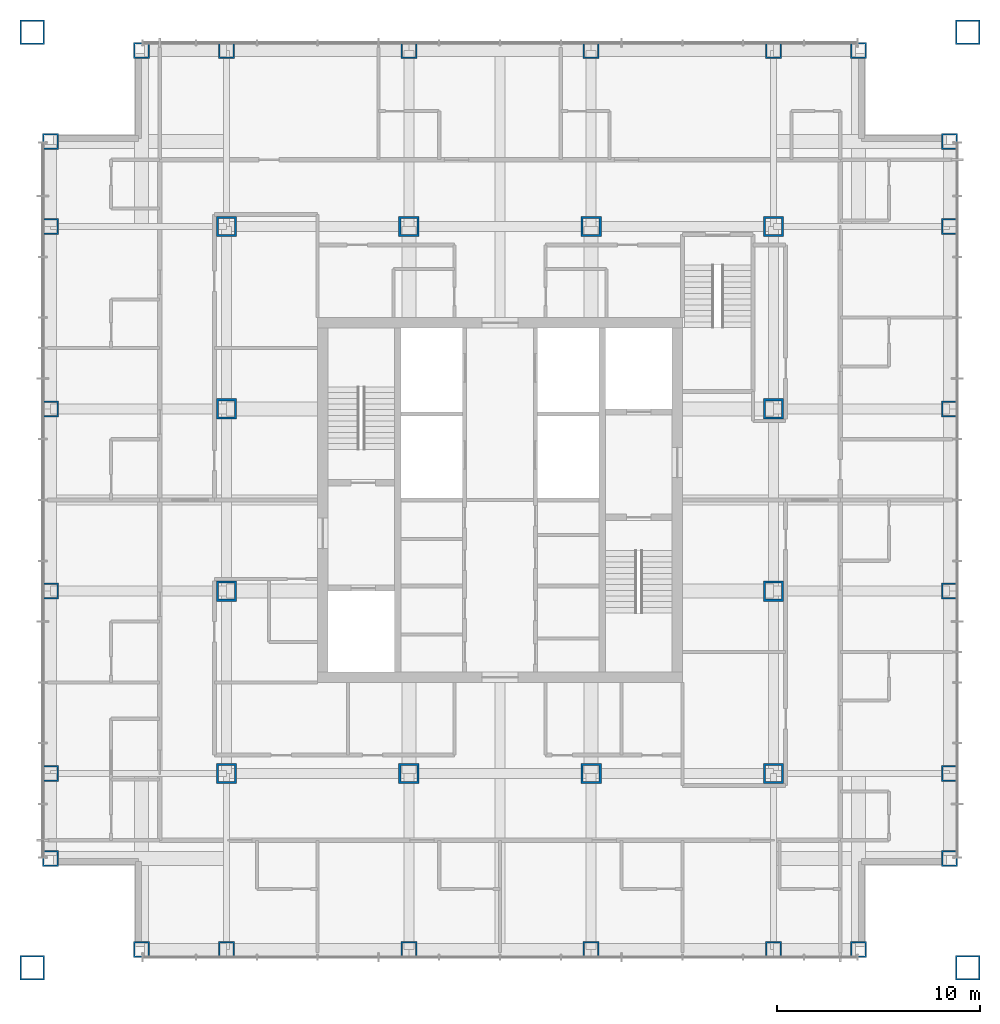
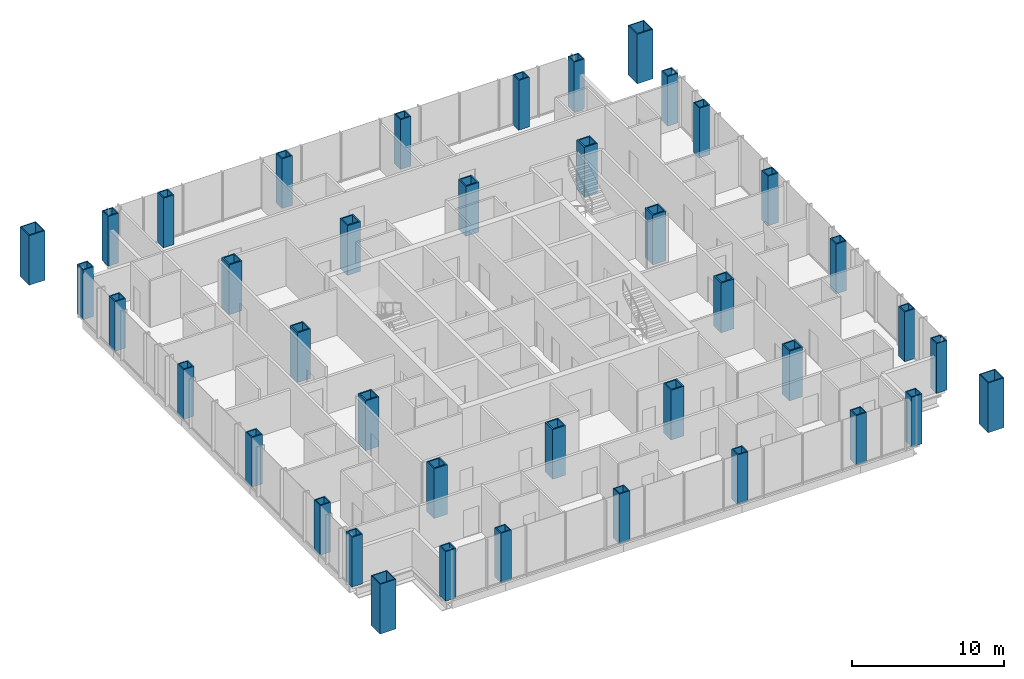
# One storey, part 1 of 11: 40 columns.
"""IFC4 building model written with IfcOpenShell, lengths in metres."""

from ifc_helpers import new_model, si_unit, direction, frame, origin, origin_2d, place, context, subcontext, project, spatial, hollow_rectangle, extrude, material, material_profile, profile_set, type_object, element, save


model = new_model("IFC4")

# Units and contexts
model_context = context("Model", 3, precision=1e-05, world=origin(), true_north=direction((0.0, 1.0)))
body_context = subcontext(model_context, "Body", "Model", "MODEL_VIEW")
ifc_project = project(units=[si_unit("LENGTHUNIT", "METRE"), si_unit("AREAUNIT", "SQUARE_METRE"), si_unit("VOLUMEUNIT", "CUBIC_METRE"), si_unit("PLANEANGLEUNIT", "RADIAN"), si_unit("MASSUNIT", "GRAM", prefix="KILO")], contexts=[model_context])

# Site, building, storey
site_placement = place(None, origin())
site = spatial("IfcSite", under=ifc_project, at=site_placement, CompositionType="ELEMENT")
building_placement = place(site_placement, origin())
building = spatial("IfcBuilding", under=site, at=building_placement, Name="Malebo Sky Hospital", CompositionType="ELEMENT")
storey_placement = place(building_placement, frame((0.0, 0.0, 213.0)))
storey = spatial("IfcBuildingStorey", under=building, at=storey_placement, Name="L51", CompositionType="ELEMENT", Elevation=213.0)

# Columns
ifc_material = material(Name="Steel S460", Category="steel")
ifc_material_profile_1 = material_profile(ifc_material, hollow_rectangle(XDim=1.0, YDim=1.0, WallThickness=0.10009765625, at=origin_2d()), Name="BOX 1000x1000x100")
ifc_profile_set_1 = profile_set([ifc_material_profile_1], Name="Steel S460")
column_type_1 = type_object("IfcColumnType", Name="INNER COLUMN BOX 1000x1000x100", PredefinedType="COLUMN", material=ifc_profile_set_1)
for number, where, z_axis, x_axis, name in (
    (1, (46.5, 48.5, 0.0), (0.0, 0.0, 1.0), (1.0, 0.0, 0.0), "Column IC9 L51"),
    (2, (73.5, 48.5, 0.0), (0.0, 0.0, 1.0), (1.0, 0.0, 0.0), "Column IC9 L51"),
    (3, (73.5, 75.5, 0.0), (0.0, 0.0, 1.0), (1.0, 0.0, 0.0), "Column IC9 L51"),
    (4, (46.5, 75.5, 0.0), (0.0, 0.0, 1.0), (1.0, 0.0, 0.0), "Column IC9 L51"),
    (5, (55.5, 48.5, 0.0), (0.0, 0.0, 1.0), (1.0, 0.0, 0.0), "Column IC9 L51"),
    (6, (64.5, 48.5, 0.0), (0.0, 0.0, 1.0), (1.0, 0.0, 0.0), "Column IC9 L51"),
    (7, (55.5, 75.5, 0.0), (0.0, 0.0, 1.0), (1.0, 0.0, 0.0), "Column IC9 L51"),
    (8, (64.5, 75.5, 0.0), (0.0, 0.0, 1.0), (1.0, 0.0, 0.0), "Column IC9 L51"),
    (9, (46.5, 57.5, 0.0), (0.0, 0.0, 1.0), (1.0, 0.0, 0.0), "Column IC9 L51"),
    (10, (46.5, 66.5, 0.0), (0.0, 0.0, 1.0), (1.0, 0.0, 0.0), "Column IC9 L51"),
    (11, (73.5, 57.5, 0.0), (0.0, 0.0, 1.0), (1.0, 0.0, 0.0), "Column IC9 L51"),
    (12, (73.5, 66.5, 0.0), (0.0, 0.0, 1.0), (1.0, 0.0, 0.0), "Column IC9 L51"),
):
    element("IfcColumn", number, at=place(storey_placement, frame(where, z_axis=z_axis, x_axis=x_axis)), inside=storey, type_object=column_type_1, Name=name, PredefinedType="COLUMN", context=body_context, shape_type="SweptSolid", body=[
        extrude(hollow_rectangle(XDim=1.0, YDim=1.0, WallThickness=0.10009765625, at=origin_2d()), origin(), (0.0, 0.0, 1.0), 4.0),
    ])
ifc_material_profile_2 = material_profile(ifc_material, hollow_rectangle(XDim=1.199951171875, YDim=1.199951171875, WallThickness=0.070068359375, at=origin_2d()), Name="BOX 1200x1200x70")
ifc_profile_set_2 = profile_set([ifc_material_profile_2], Name="Steel S460")
column_type_2 = type_object("IfcColumnType", Name="MEGA COLUMN BOX 1200x1200x70", PredefinedType="COLUMN", material=ifc_profile_set_2)
for number, where, z_axis, x_axis, name in (
    (13, (36.89990234375, 38.89990234375, 0.0), (0.0, 0.0, 1.0), (1.0, 0.0, 0.0), "Mega column SW L51"),
    (14, (83.10009765625, 38.89990234375, 0.0), (0.0, 0.0, 1.0), (1.0, 0.0, 0.0), "Mega column SE L51"),
    (15, (83.10009765625, 85.10009765625, 0.0), (0.0, 0.0, 1.0), (1.0, 0.0, 0.0), "Mega column NE L51"),
    (16, (36.89990234375, 85.10009765625, 0.0), (0.0, 0.0, 1.0), (1.0, 0.0, 0.0), "Mega column NW L51"),
):
    element("IfcColumn", number, at=place(storey_placement, frame(where, z_axis=z_axis, x_axis=x_axis)), inside=storey, type_object=column_type_2, Name=name, PredefinedType="COLUMN", context=body_context, shape_type="SweptSolid", body=[
        extrude(hollow_rectangle(XDim=1.199951171875, YDim=1.199951171875, WallThickness=0.070068359375, at=origin_2d()), origin(), (0.0, 0.0, 1.0), 4.0),
    ])
ifc_material_profile_3 = material_profile(ifc_material, hollow_rectangle(XDim=0.800048828125, YDim=0.800048828125, WallThickness=0.080078125, at=origin_2d()), Name="BOX 800x800x80")
ifc_profile_set_3 = profile_set([ifc_material_profile_3], Name="Steel S460")
column_type_3 = type_object("IfcColumnType", Name="PERIMETER COLUMN BOX 800x800x80", PredefinedType="COLUMN", material=ifc_profile_set_3)
for number, where, z_axis, x_axis, name in (
    (17, (42.300048828125, 39.800048828125, 0.0), (0.0, 0.0, 1.0), (1.0, 0.0, 0.0), "Column PC7 L51"),
    (18, (42.300048828125, 84.199951171875, 0.0), (0.0, 0.0, 1.0), (1.0, 0.0, 0.0), "Column PC7 L51"),
    (19, (37.800048828125, 44.300048828125, 0.0), (0.0, 0.0, 1.0), (1.0, 0.0, 0.0), "Column PC7 L51"),
    (20, (82.199951171875, 44.300048828125, 0.0), (0.0, 0.0, 1.0), (1.0, 0.0, 0.0), "Column PC7 L51"),
    (21, (46.5, 39.800048828125, 0.0), (0.0, 0.0, 1.0), (1.0, 0.0, 0.0), "Column PC7 L51"),
    (22, (46.5, 84.199951171875, 0.0), (0.0, 0.0, 1.0), (1.0, 0.0, 0.0), "Column PC7 L51"),
    (23, (37.800048828125, 48.5, 0.0), (0.0, 0.0, 1.0), (1.0, 0.0, 0.0), "Column PC7 L51"),
    (24, (82.199951171875, 48.5, 0.0), (0.0, 0.0, 1.0), (1.0, 0.0, 0.0), "Column PC7 L51"),
    (25, (55.5, 39.800048828125, 0.0), (0.0, 0.0, 1.0), (1.0, 0.0, 0.0), "Column PC7 L51"),
    (26, (55.5, 84.199951171875, 0.0), (0.0, 0.0, 1.0), (1.0, 0.0, 0.0), "Column PC7 L51"),
    (27, (37.800048828125, 57.5, 0.0), (0.0, 0.0, 1.0), (1.0, 0.0, 0.0), "Column PC7 L51"),
    (28, (82.199951171875, 57.5, 0.0), (0.0, 0.0, 1.0), (1.0, 0.0, 0.0), "Column PC7 L51"),
    (29, (64.5, 39.800048828125, 0.0), (0.0, 0.0, 1.0), (1.0, 0.0, 0.0), "Column PC7 L51"),
    (30, (64.5, 84.199951171875, 0.0), (0.0, 0.0, 1.0), (1.0, 0.0, 0.0), "Column PC7 L51"),
    (31, (37.800048828125, 66.5, 0.0), (0.0, 0.0, 1.0), (1.0, 0.0, 0.0), "Column PC7 L51"),
    (32, (82.199951171875, 66.5, 0.0), (0.0, 0.0, 1.0), (1.0, 0.0, 0.0), "Column PC7 L51"),
    (33, (73.5, 39.800048828125, 0.0), (0.0, 0.0, 1.0), (1.0, 0.0, 0.0), "Column PC7 L51"),
    (34, (73.5, 84.199951171875, 0.0), (0.0, 0.0, 1.0), (1.0, 0.0, 0.0), "Column PC7 L51"),
    (35, (37.800048828125, 75.5, 0.0), (0.0, 0.0, 1.0), (1.0, 0.0, 0.0), "Column PC7 L51"),
    (36, (82.199951171875, 75.5, 0.0), (0.0, 0.0, 1.0), (1.0, 0.0, 0.0), "Column PC7 L51"),
    (37, (77.699951171875, 39.800048828125, 0.0), (0.0, 0.0, 1.0), (1.0, 0.0, 0.0), "Column PC7 L51"),
    (38, (77.699951171875, 84.199951171875, 0.0), (0.0, 0.0, 1.0), (1.0, 0.0, 0.0), "Column PC7 L51"),
    (39, (37.800048828125, 79.699951171875, 0.0), (0.0, 0.0, 1.0), (1.0, 0.0, 0.0), "Column PC7 L51"),
    (40, (82.199951171875, 79.699951171875, 0.0), (0.0, 0.0, 1.0), (1.0, 0.0, 0.0), "Column PC7 L51"),
):
    element("IfcColumn", number, at=place(storey_placement, frame(where, z_axis=z_axis, x_axis=x_axis)), inside=storey, type_object=column_type_3, Name=name, PredefinedType="COLUMN", context=body_context, shape_type="SweptSolid", body=[
        extrude(hollow_rectangle(XDim=0.800048828125, YDim=0.800048828125, WallThickness=0.080078125, at=origin_2d()), origin(), (0.0, 0.0, 1.0), 4.0),
    ])

save(model, "model.ifc")
